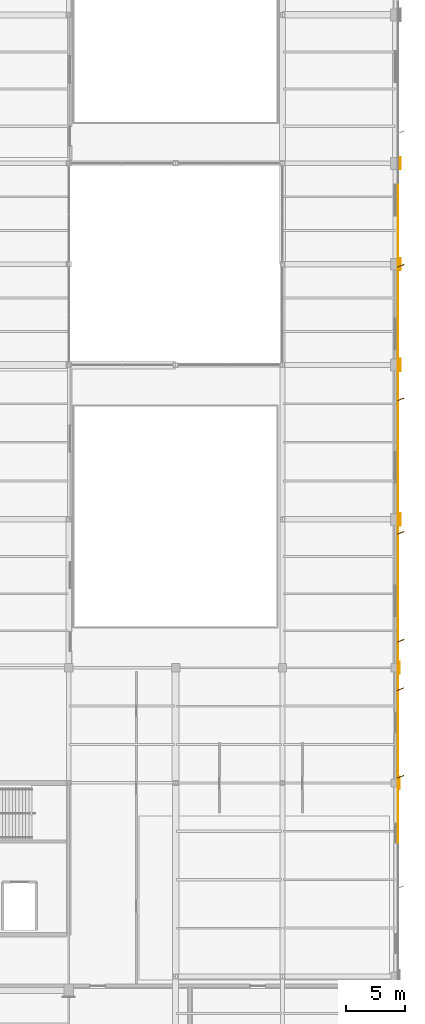
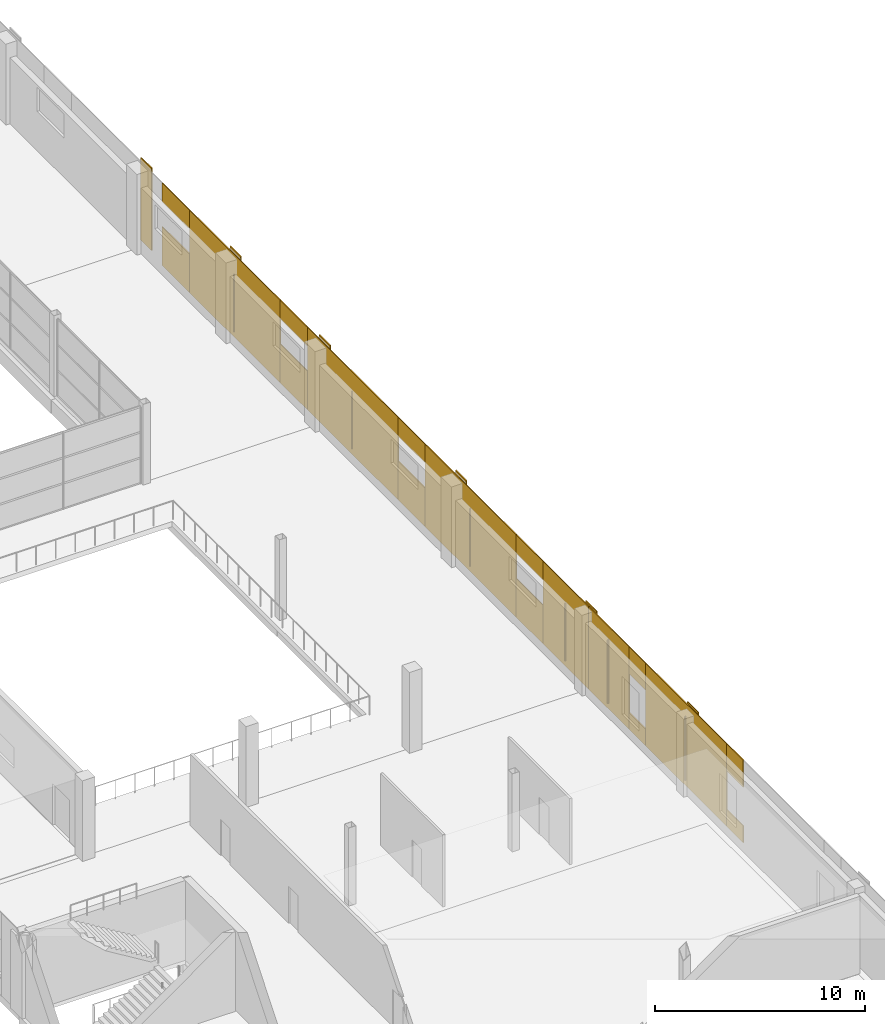
# One storey, part 111 of 112: 30 coverings.
"""IFC4 building model written with IfcOpenShell, lengths in metres."""

from ifc_helpers import new_model, si_unit, direction, frame, origin, origin_2d, place, context, subcontext, project, spatial, rectangle, extrude, material, layer, layer_set, type_object, element, save


model = new_model("IFC4")

# Units and contexts
model_context = context("Model", 3, precision=1e-05, world=origin(), true_north=direction((0.0, 1.0)))
body_context = subcontext(model_context, "Body", "Model", "MODEL_VIEW")
ifc_project = project(units=[si_unit("LENGTHUNIT", "METRE"), si_unit("AREAUNIT", "SQUARE_METRE"), si_unit("VOLUMEUNIT", "CUBIC_METRE"), si_unit("PLANEANGLEUNIT", "RADIAN"), si_unit("MASSUNIT", "GRAM", prefix="KILO")], contexts=[model_context])

# Site, building, storey
site_placement = place(None, origin())
site = spatial("IfcSite", under=ifc_project, at=site_placement, CompositionType="ELEMENT")
building_placement = place(site_placement, origin())
building = spatial("IfcBuilding", under=site, at=building_placement, Name="Solvikara Media Centre", CompositionType="ELEMENT")
storey_placement = place(building_placement, frame((0.0, 0.0, 5.39990234375)))
storey = spatial("IfcBuildingStorey", under=building, at=storey_placement, Name="L01", CompositionType="ELEMENT", Elevation=5.39990234375)

# Coverings
ifc_material = material(Name="GFRC white mineral architectural rainscreen panel")
ifc_layer = layer(ifc_material, 0.050048828125)
ifc_layer_set = layer_set([ifc_layer], Name="GFRC white mineral architectural rainscreen panel")
covering_type = type_object("IfcCoveringType", Name="CV-04", PredefinedType="CLADDING", material=ifc_layer_set)
for number, where, z_axis, x_axis, name in (
    (1, (164.375, 36.800048828125, 0.0), (0.0, 0.0, 1.0), (0.0, 1.0, 0.0), "PIL-L01-233"),
    (2, (164.375, 46.5, 0.0), (0.0, 0.0, 1.0), (0.0, 1.0, 0.0), "PIL-L01-237"),
    (3, (164.425048828125, 59.0, 0.0), (0.0, 0.0, 1.0), (0.0, 1.0, 0.0), "PIL-L01-288"),
    (4, (164.425048828125, 72.0, 0.0), (0.0, 0.0, 1.0), (0.0, 1.0, 0.0), "PIL-L01-290"),
    (5, (164.425048828125, 80.5, 0.0), (0.0, 0.0, 1.0), (0.0, 1.0, 0.0), "PIL-L01-292"),
    (6, (164.425048828125, 89.0, 0.0), (0.0, 0.0, 1.0), (0.0, 1.0, 0.0), "PIL-L01-294"),
):
    element("IfcCovering", number, at=place(storey_placement, frame(where, z_axis=z_axis, x_axis=x_axis)), inside=storey, type_object=covering_type, Name=name, PredefinedType="CLADDING", context=body_context, shape_type="SweptSolid", body=[
        extrude(rectangle(XDim=1.0400390625, YDim=0.050048828125, at=origin_2d()), origin(), (0.0, 0.0, 1.0), 4.800048828125),
    ])
covering_1_placement = place(storey_placement, frame((164.2451171875, 32.550048828125, 0.0), z_axis=(0.0, 0.0, 1.0), x_axis=(0.0, 1.0, 0.0)))
element("IfcCovering", 7, at=covering_1_placement, inside=storey, type_object=covering_type, Name="L01-V5E-CV-S08", PredefinedType="CLADDING", context=body_context, shape_type="SweptSolid", body=[
    extrude(rectangle(XDim=1.60009765625, YDim=0.050048828125, at=origin_2d()), origin(), (0.0, 0.0, 1.0), 0.969970703125),
])
covering_2_placement = place(storey_placement, frame((164.2451171875, 32.550048828125, 3.22998046875), z_axis=(0.0, 0.0, 1.0), x_axis=(0.0, 1.0, 0.0)))
element("IfcCovering", 8, at=covering_2_placement, inside=storey, type_object=covering_type, Name="L01-V5E-CV-H08", PredefinedType="CLADDING", context=body_context, shape_type="SweptSolid", body=[
    extrude(rectangle(XDim=1.60009765625, YDim=0.050048828125, at=origin_2d()), origin(), (0.0, 0.0, 1.0), 1.570068359375),
])
covering_3_placement = place(storey_placement, frame((164.2451171875, 37.199951171875, 0.0), z_axis=(0.0, 0.0, 1.0), x_axis=(0.0, 1.0, 0.0)))
element("IfcCovering", 9, at=covering_3_placement, inside=storey, type_object=covering_type, Name="L01-V5E-CV-F09", PredefinedType="CLADDING", context=body_context, shape_type="SweptSolid", body=[
    extrude(rectangle(XDim=7.699951171875, YDim=0.050048828125, at=origin_2d()), origin(), (0.0, 0.0, 1.0), 4.800048828125),
])
covering_4_placement = place(storey_placement, frame((164.43505859375, 37.31005859375, 0.35009765625), z_axis=(0.0, 0.0, 1.0), x_axis=(0.930749810713, 0.3656566557, 0.0)))
element("IfcCovering", 10, at=covering_4_placement, inside=storey, type_object=covering_type, Name="L01-V5E-FIN-09", PredefinedType="CLADDING", context=body_context, shape_type="SweptSolid", body=[
    extrude(rectangle(XDim=0.60205078125, YDim=0.050048828125, at=origin_2d()), origin(), (0.0, 0.0, 1.0), 3.697998046875),
])
covering_5_placement = place(storey_placement, frame((164.2451171875, 41.85009765625, 0.0), z_axis=(0.0, 0.0, 1.0), x_axis=(0.0, 1.0, 0.0)))
element("IfcCovering", 11, at=covering_5_placement, inside=storey, type_object=covering_type, Name="L01-V5E-CV-S10", PredefinedType="CLADDING", context=body_context, shape_type="SweptSolid", body=[
    extrude(rectangle(XDim=1.60009765625, YDim=0.050048828125, at=origin_2d()), origin(), (0.0, 0.0, 1.0), 0.969970703125),
])
covering_6_placement = place(storey_placement, frame((164.2451171875, 41.85009765625, 3.22998046875), z_axis=(0.0, 0.0, 1.0), x_axis=(0.0, 1.0, 0.0)))
element("IfcCovering", 12, at=covering_6_placement, inside=storey, type_object=covering_type, Name="L01-V5E-CV-H10", PredefinedType="CLADDING", context=body_context, shape_type="SweptSolid", body=[
    extrude(rectangle(XDim=1.60009765625, YDim=0.050048828125, at=origin_2d()), origin(), (0.0, 0.0, 1.0), 1.570068359375),
])
covering_7_placement = place(storey_placement, frame((164.2451171875, 44.574951171875, 0.0), z_axis=(0.0, 0.0, 1.0), x_axis=(0.0, 1.0, 0.0)))
element("IfcCovering", 13, at=covering_7_placement, inside=storey, type_object=covering_type, Name="L01-V5E-CV-F11", PredefinedType="CLADDING", context=body_context, shape_type="SweptSolid", body=[
    extrude(rectangle(XDim=3.85009765625, YDim=0.050048828125, at=origin_2d()), origin(), (0.0, 0.0, 1.0), 4.800048828125),
])
covering_8_placement = place(storey_placement, frame((164.43505859375, 44.68505859375, 0.35009765625), z_axis=(0.0, 0.0, 1.0), x_axis=(0.930749810713, 0.3656566557, 0.0)))
element("IfcCovering", 14, at=covering_8_placement, inside=storey, type_object=covering_type, Name="L01-V5E-FIN-11", PredefinedType="CLADDING", context=body_context, shape_type="SweptSolid", body=[
    extrude(rectangle(XDim=0.60205078125, YDim=0.050048828125, at=origin_2d()), origin(), (0.0, 0.0, 1.0), 3.697998046875),
])
covering_9_placement = place(storey_placement, frame((164.2451171875, 48.6630859375, 0.0), z_axis=(0.0, 0.0, 1.0), x_axis=(0.0, 1.0, 0.0)))
element("IfcCovering", 15, at=covering_9_placement, inside=storey, type_object=covering_type, Name="L01-V2E-CV-F01", PredefinedType="CLADDING", context=body_context, shape_type="SweptSolid", body=[
    extrude(rectangle(XDim=4.324951171875, YDim=0.050048828125, at=origin_2d()), origin(), (0.0, 0.0, 1.0), 4.800048828125),
])
covering_10_placement = place(storey_placement, frame((164.449951171875, 48.77294921875, 0.35009765625), z_axis=(0.0, 0.0, 1.0), x_axis=(0.930749810713, 0.3656566557, 0.0)))
element("IfcCovering", 16, at=covering_10_placement, inside=storey, type_object=covering_type, Name="L01-V2E-FIN-01", PredefinedType="CLADDING", context=body_context, shape_type="SweptSolid", body=[
    extrude(rectangle(XDim=0.60205078125, YDim=0.050048828125, at=origin_2d()), origin(), (0.0, 0.0, 1.0), 3.340087890625),
])
covering_11_placement = place(storey_placement, frame((164.2451171875, 52.125, 0.0), z_axis=(0.0, 0.0, 1.0), x_axis=(0.0, 1.0, 0.0)))
element("IfcCovering", 17, at=covering_11_placement, inside=storey, type_object=covering_type, Name="L01-V2E-CV-S02", PredefinedType="CLADDING", context=body_context, shape_type="SweptSolid", body=[
    extrude(rectangle(XDim=2.60009765625, YDim=0.050048828125, at=origin_2d()), origin(), (0.0, 0.0, 1.0), 2.25),
])
covering_12_placement = place(storey_placement, frame((164.2451171875, 52.125, 3.7099609375), z_axis=(0.0, 0.0, 1.0), x_axis=(0.0, 1.0, 0.0)))
element("IfcCovering", 18, at=covering_12_placement, inside=storey, type_object=covering_type, Name="L01-V2E-CV-H02", PredefinedType="CLADDING", context=body_context, shape_type="SweptSolid", body=[
    extrude(rectangle(XDim=2.60009765625, YDim=0.050048828125, at=origin_2d()), origin(), (0.0, 0.0, 1.0), 1.090087890625),
])
covering_13_placement = place(storey_placement, frame((164.2451171875, 57.75, 0.0), z_axis=(0.0, 0.0, 1.0), x_axis=(0.0, 1.0, 0.0)))
element("IfcCovering", 19, at=covering_13_placement, inside=storey, type_object=covering_type, Name="L01-V2E-CV-F03", PredefinedType="CLADDING", context=body_context, shape_type="SweptSolid", body=[
    extrude(rectangle(XDim=8.64990234375, YDim=0.050048828125, at=origin_2d()), origin(), (0.0, 0.0, 1.0), 4.800048828125),
])
covering_14_placement = place(storey_placement, frame((164.449951171875, 57.860107421875, 0.35009765625), z_axis=(0.0, 0.0, 1.0), x_axis=(0.930749810713, 0.3656566557, 0.0)))
element("IfcCovering", 20, at=covering_14_placement, inside=storey, type_object=covering_type, Name="L01-V2E-FIN-03", PredefinedType="CLADDING", context=body_context, shape_type="SweptSolid", body=[
    extrude(rectangle(XDim=0.60205078125, YDim=0.050048828125, at=origin_2d()), origin(), (0.0, 0.0, 1.0), 3.340087890625),
])
covering_15_placement = place(storey_placement, frame((164.2451171875, 63.375, 0.0), z_axis=(0.0, 0.0, 1.0), x_axis=(0.0, 1.0, 0.0)))
element("IfcCovering", 21, at=covering_15_placement, inside=storey, type_object=covering_type, Name="L01-V2E-CV-S04", PredefinedType="CLADDING", context=body_context, shape_type="SweptSolid", body=[
    extrude(rectangle(XDim=2.60009765625, YDim=0.050048828125, at=origin_2d()), origin(), (0.0, 0.0, 1.0), 2.25),
])
covering_16_placement = place(storey_placement, frame((164.2451171875, 63.375, 3.7099609375), z_axis=(0.0, 0.0, 1.0), x_axis=(0.0, 1.0, 0.0)))
element("IfcCovering", 22, at=covering_16_placement, inside=storey, type_object=covering_type, Name="L01-V2E-CV-H04", PredefinedType="CLADDING", context=body_context, shape_type="SweptSolid", body=[
    extrude(rectangle(XDim=2.60009765625, YDim=0.050048828125, at=origin_2d()), origin(), (0.0, 0.0, 1.0), 1.090087890625),
])
covering_17_placement = place(storey_placement, frame((164.2451171875, 69.0, 0.0), z_axis=(0.0, 0.0, 1.0), x_axis=(0.0, 1.0, 0.0)))
element("IfcCovering", 23, at=covering_17_placement, inside=storey, type_object=covering_type, Name="L01-V2E-CV-F05", PredefinedType="CLADDING", context=body_context, shape_type="SweptSolid", body=[
    extrude(rectangle(XDim=8.64990234375, YDim=0.050048828125, at=origin_2d()), origin(), (0.0, 0.0, 1.0), 4.800048828125),
])
covering_18_placement = place(storey_placement, frame((164.449951171875, 69.110107421875, 0.35009765625), z_axis=(0.0, 0.0, 1.0), x_axis=(0.930749810713, 0.3656566557, 0.0)))
element("IfcCovering", 24, at=covering_18_placement, inside=storey, type_object=covering_type, Name="L01-V2E-FIN-05", PredefinedType="CLADDING", context=body_context, shape_type="SweptSolid", body=[
    extrude(rectangle(XDim=0.60205078125, YDim=0.050048828125, at=origin_2d()), origin(), (0.0, 0.0, 1.0), 3.340087890625),
])
covering_19_placement = place(storey_placement, frame((164.2451171875, 74.625, 0.0), z_axis=(0.0, 0.0, 1.0), x_axis=(0.0, 1.0, 0.0)))
element("IfcCovering", 25, at=covering_19_placement, inside=storey, type_object=covering_type, Name="L01-V2E-CV-S06", PredefinedType="CLADDING", context=body_context, shape_type="SweptSolid", body=[
    extrude(rectangle(XDim=2.60009765625, YDim=0.050048828125, at=origin_2d()), origin(), (0.0, 0.0, 1.0), 2.25),
])
covering_20_placement = place(storey_placement, frame((164.2451171875, 74.625, 3.7099609375), z_axis=(0.0, 0.0, 1.0), x_axis=(0.0, 1.0, 0.0)))
element("IfcCovering", 26, at=covering_20_placement, inside=storey, type_object=covering_type, Name="L01-V2E-CV-H06", PredefinedType="CLADDING", context=body_context, shape_type="SweptSolid", body=[
    extrude(rectangle(XDim=2.60009765625, YDim=0.050048828125, at=origin_2d()), origin(), (0.0, 0.0, 1.0), 1.090087890625),
])
covering_21_placement = place(storey_placement, frame((164.2451171875, 80.25, 0.0), z_axis=(0.0, 0.0, 1.0), x_axis=(0.0, 1.0, 0.0)))
element("IfcCovering", 27, at=covering_21_placement, inside=storey, type_object=covering_type, Name="L01-V2E-CV-F07", PredefinedType="CLADDING", context=body_context, shape_type="SweptSolid", body=[
    extrude(rectangle(XDim=8.64990234375, YDim=0.050048828125, at=origin_2d()), origin(), (0.0, 0.0, 1.0), 4.800048828125),
])
covering_22_placement = place(storey_placement, frame((164.449951171875, 80.360107421875, 0.35009765625), z_axis=(0.0, 0.0, 1.0), x_axis=(0.930749810713, 0.3656566557, 0.0)))
element("IfcCovering", 28, at=covering_22_placement, inside=storey, type_object=covering_type, Name="L01-V2E-FIN-07", PredefinedType="CLADDING", context=body_context, shape_type="SweptSolid", body=[
    extrude(rectangle(XDim=0.60205078125, YDim=0.050048828125, at=origin_2d()), origin(), (0.0, 0.0, 1.0), 3.340087890625),
])
covering_23_placement = place(storey_placement, frame((164.2451171875, 85.875, 0.0), z_axis=(0.0, 0.0, 1.0), x_axis=(0.0, 1.0, 0.0)))
element("IfcCovering", 29, at=covering_23_placement, inside=storey, type_object=covering_type, Name="L01-V2E-CV-S08", PredefinedType="CLADDING", context=body_context, shape_type="SweptSolid", body=[
    extrude(rectangle(XDim=2.60009765625, YDim=0.050048828125, at=origin_2d()), origin(), (0.0, 0.0, 1.0), 2.25),
])
covering_24_placement = place(storey_placement, frame((164.2451171875, 85.875, 3.7099609375), z_axis=(0.0, 0.0, 1.0), x_axis=(0.0, 1.0, 0.0)))
element("IfcCovering", 30, at=covering_24_placement, inside=storey, type_object=covering_type, Name="L01-V2E-CV-H08", PredefinedType="CLADDING", context=body_context, shape_type="SweptSolid", body=[
    extrude(rectangle(XDim=2.60009765625, YDim=0.050048828125, at=origin_2d()), origin(), (0.0, 0.0, 1.0), 1.090087890625),
])

save(model, "model.ifc")
